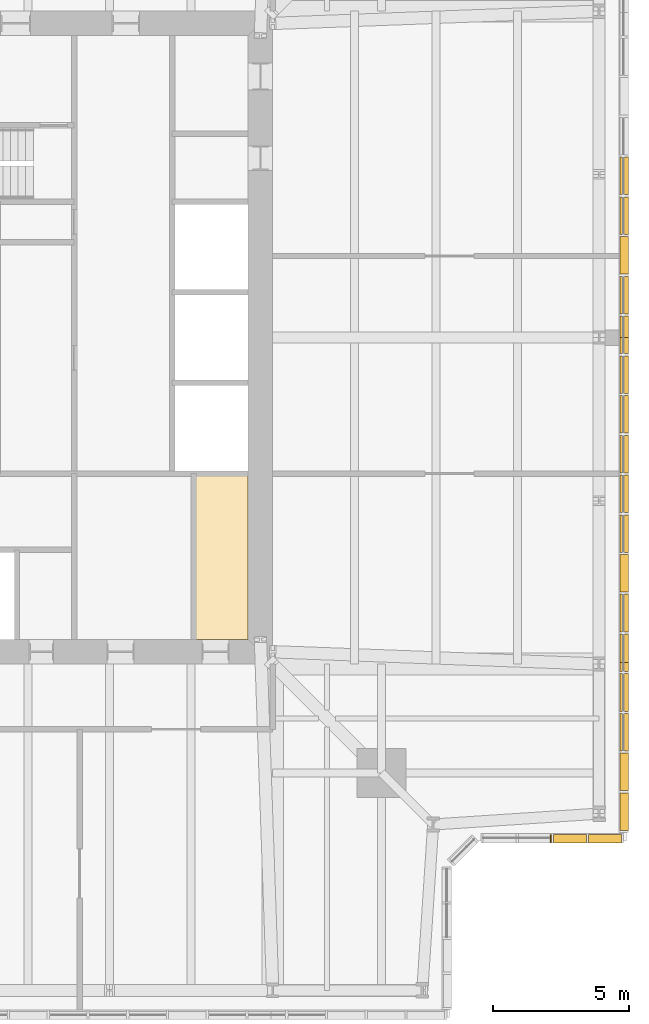
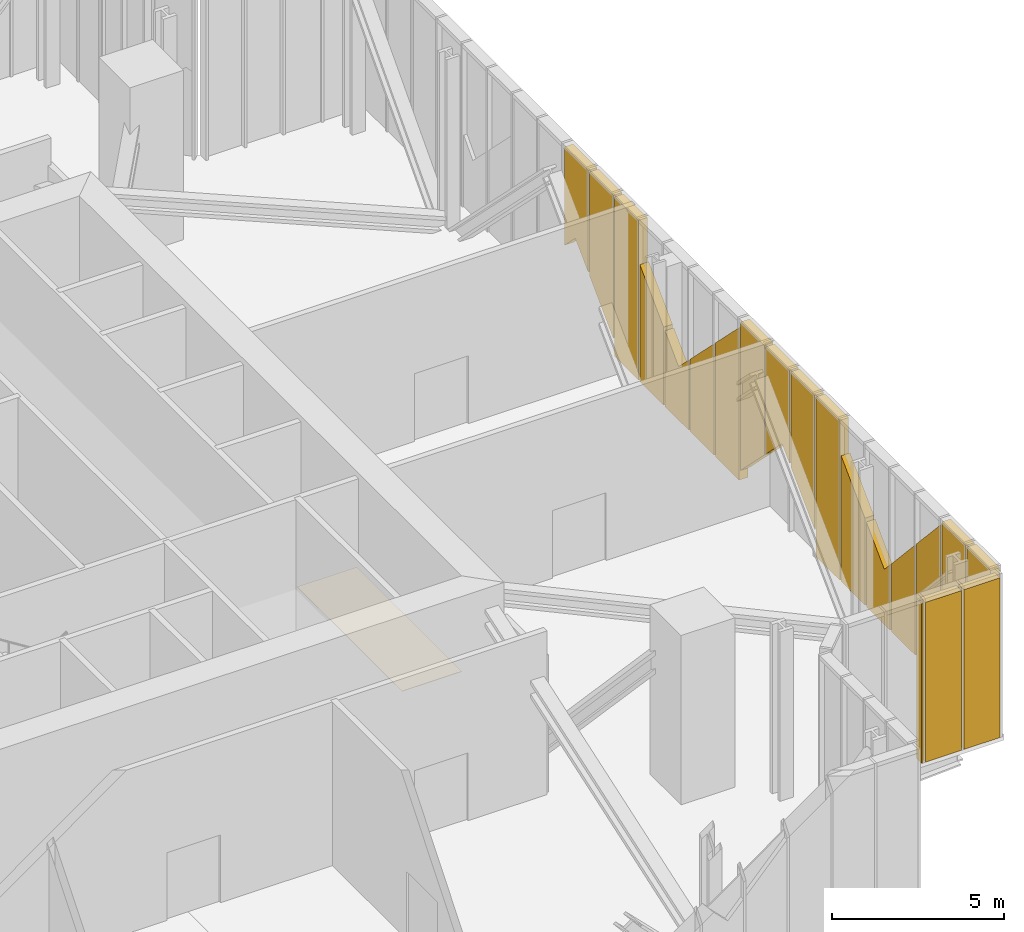
# One storey, part 16 of 18: 21 coverings.
"""IFC4 building model written with IfcOpenShell, lengths in metres."""

from ifc_helpers import new_model, si_unit, direction, frame, origin, place, context, subcontext, project, spatial, polyline, outline, extrude, material, layer, layer_set, type_object, element, save


model = new_model("IFC4")

# Units and contexts
model_context = context("Model", 3, precision=1e-05, world=origin(), true_north=direction((0.0, 1.0)))
body_context = subcontext(model_context, "Body", "Model", "MODEL_VIEW")
ifc_project = project(units=[si_unit("LENGTHUNIT", "METRE"), si_unit("AREAUNIT", "SQUARE_METRE"), si_unit("VOLUMEUNIT", "CUBIC_METRE"), si_unit("PLANEANGLEUNIT", "RADIAN"), si_unit("MASSUNIT", "GRAM", prefix="KILO")], contexts=[model_context])

# Site, building, storey
site_placement = place(None, origin())
site = spatial("IfcSite", under=ifc_project, at=site_placement, CompositionType="ELEMENT")
building_placement = place(site_placement, origin())
building = spatial("IfcBuilding", under=site, at=building_placement, Name="Fenwick Lantern Interchange", CompositionType="ELEMENT")
storey_placement = place(building_placement, frame((0.0, 0.0, 301.800048828125)))
storey = spatial("IfcBuildingStorey", under=building, at=storey_placement, Name="L73", CompositionType="ELEMENT", Elevation=301.800048828125)

# Coverings
ifc_material_1 = material(Name="Granite cladding, warm grey flamed finish, on aluminium carrier frame", Category="masonry")
ifc_layer_1 = layer(ifc_material_1, 0.300048828125)
ifc_layer_set_1 = layer_set([ifc_layer_1], Name="BRACE CASING PANEL 300")
covering_type_1 = type_object("IfcCoveringType", Name="BRACE CASING PANEL 300", PredefinedType="CLADDING", material=ifc_layer_set_1)
covering_1_placement = place(storey_placement, frame((44.45849609375, 6.60009765625, 0.0), z_axis=(0.0, 0.0, 1.0), x_axis=(1.0, 0.0, 0.0)))
element("IfcCovering", 1, at=covering_1_placement, inside=storey, type_object=covering_type_1, Name="Brace casing 04 bay 01a", PredefinedType="CLADDING", context=body_context, shape_type="SweptSolid", body=[
    extrude(outline(polyline([(2.741455078125, 0.0), (2.78076171875, 0.0), (2.78076171875, 5.659912109375), (2.741455078125, 5.659912109375), (2.741455078125, 0.0)])), frame((0.0, 0.125, 0.0), z_axis=(0.0, -1.0, 0.0), x_axis=(1.0, 0.0, 0.0)), (0.0, 0.0, 1.0), 0.300048828125),
])
covering_2_placement = place(storey_placement, frame((44.45849609375, 6.60009765625, 0.0), z_axis=(0.0, 0.0, 1.0), x_axis=(1.0, 0.0, 0.0)))
element("IfcCovering", 2, at=covering_2_placement, inside=storey, type_object=covering_type_1, Name="Brace casing 04 bay 02a", PredefinedType="CLADDING", context=body_context, shape_type="SweptSolid", body=[
    extrude(outline(polyline([(2.860595703125, 0.0), (4.071044921875, 0.0), (4.071044921875, 5.659912109375), (2.860595703125, 5.659912109375), (2.860595703125, 0.0)])), frame((0.0, 0.125, 0.0), z_axis=(0.0, -1.0, 0.0), x_axis=(1.0, 0.0, 0.0)), (0.0, 0.0, 1.0), 0.300048828125),
])
covering_3_placement = place(storey_placement, frame((44.45849609375, 6.60009765625, 0.0), z_axis=(0.0, 0.0, 1.0), x_axis=(1.0, 0.0, 0.0)))
element("IfcCovering", 3, at=covering_3_placement, inside=storey, type_object=covering_type_1, Name="Brace casing 04 bay 03a", PredefinedType="CLADDING", context=body_context, shape_type="SweptSolid", body=[
    extrude(outline(polyline([(4.151123046875, 0.0), (5.361328125, 0.0), (5.361328125, 5.659912109375), (4.151123046875, 5.659912109375), (4.151123046875, 0.0)])), frame((0.0, 0.125, 0.0), z_axis=(0.0, -1.0, 0.0), x_axis=(1.0, 0.0, 0.0)), (0.0, 0.0, 1.0), 0.300048828125),
])
covering_4_placement = place(storey_placement, frame((49.89990234375, 6.60009765625, 0.0), z_axis=(0.0, 0.0, 1.0), x_axis=(0.0, 1.0, 0.0)))
element("IfcCovering", 4, at=covering_4_placement, inside=storey, type_object=covering_type_1, Name="Brace casing 05 bay 00a", PredefinedType="CLADDING", context=body_context, shape_type="SweptSolid", body=[
    extrude(outline(polyline([(0.280029296875, 0.0), (1.660888671875, 0.0), (1.660888671875, 5.659912109375), (0.280029296875, 5.659912109375), (0.280029296875, 0.0)])), frame((0.0, 0.125, 0.0), z_axis=(0.0, -1.0, 0.0), x_axis=(1.0, 0.0, 0.0)), (0.0, 0.0, 1.0), 0.300048828125),
])
covering_5_placement = place(storey_placement, frame((49.89990234375, 6.60009765625, 0.0), z_axis=(0.0, 0.0, 1.0), x_axis=(0.0, 1.0, 0.0)))
element("IfcCovering", 5, at=covering_5_placement, inside=storey, type_object=covering_type_1, Name="Brace casing 05 bay 01a", PredefinedType="CLADDING", context=body_context, shape_type="SweptSolid", body=[
    extrude(outline(polyline([(1.74072265625, 0.0), (3.12158203125, 0.0), (3.12158203125, 5.659912109375), (1.74072265625, 5.659912109375), (1.74072265625, 0.0)])), frame((0.0, 0.125, 0.0), z_axis=(0.0, -1.0, 0.0), x_axis=(1.0, 0.0, 0.0)), (0.0, 0.0, 1.0), 0.300048828125),
])
covering_6_placement = place(storey_placement, frame((49.89990234375, 6.60009765625, 0.0), z_axis=(0.0, 0.0, 1.0), x_axis=(0.0, 1.0, 0.0)))
element("IfcCovering", 6, at=covering_6_placement, inside=storey, type_object=covering_type_1, Name="Brace casing 05 bay 02a", PredefinedType="CLADDING", context=body_context, shape_type="SweptSolid", body=[
    extrude(outline(polyline([(3.20166015625, 0.0), (4.58251953125, 0.0), (4.58251953125, 3.99658203125), (3.20166015625, 5.5029296875), (3.20166015625, 0.0)])), frame((0.0, 0.125, 0.0), z_axis=(0.0, -1.0, 0.0), x_axis=(1.0, 0.0, 0.0)), (0.0, 0.0, 1.0), 0.300048828125),
])
covering_7_placement = place(storey_placement, frame((49.89990234375, 6.60009765625, 0.0), z_axis=(0.0, 0.0, 1.0), x_axis=(0.0, 1.0, 0.0)))
element("IfcCovering", 7, at=covering_7_placement, inside=storey, type_object=covering_type_1, Name="Brace casing 05 bay 03a", PredefinedType="CLADDING", context=body_context, shape_type="SweptSolid", body=[
    extrude(outline(polyline([(4.662353515625, 0.0), (6.043212890625, 0.0), (6.043212890625, 2.403076171875), (4.662353515625, 3.909423828125), (4.662353515625, 0.0)])), frame((0.0, 0.125, 0.0), z_axis=(0.0, -1.0, 0.0), x_axis=(1.0, 0.0, 0.0)), (0.0, 0.0, 1.0), 0.300048828125),
])
covering_8_placement = place(storey_placement, frame((49.89990234375, 6.60009765625, 0.0), z_axis=(0.0, 0.0, 1.0), x_axis=(0.0, 1.0, 0.0)))
element("IfcCovering", 8, at=covering_8_placement, inside=storey, type_object=covering_type_1, Name="Brace casing 05 bay 04a", PredefinedType="CLADDING", context=body_context, shape_type="SweptSolid", body=[
    extrude(outline(polyline([(6.123291015625, 0.0), (7.50390625, 0.0), (7.50390625, 2.99951171875), (6.45654296875, 1.9521484375), (6.123291015625, 2.315673828125), (6.123291015625, 0.0)])), frame((0.0, 0.125, 0.0), z_axis=(0.0, -1.0, 0.0), x_axis=(1.0, 0.0, 0.0)), (0.0, 0.0, 1.0), 0.300048828125),
])
covering_9_placement = place(storey_placement, frame((49.89990234375, 6.60009765625, 0.0), z_axis=(0.0, 0.0, 1.0), x_axis=(0.0, 1.0, 0.0)))
element("IfcCovering", 9, at=covering_9_placement, inside=storey, type_object=covering_type_1, Name="Brace casing 05 bay 05a", PredefinedType="CLADDING", context=body_context, shape_type="SweptSolid", body=[
    extrude(outline(polyline([(7.583984375, 0.0), (8.96484375, 0.0), (8.96484375, 4.460205078125), (7.583984375, 3.07958984375), (7.583984375, 0.0)])), frame((0.0, 0.125, 0.0), z_axis=(0.0, -1.0, 0.0), x_axis=(1.0, 0.0, 0.0)), (0.0, 0.0, 1.0), 0.300048828125),
])
covering_10_placement = place(storey_placement, frame((49.89990234375, 6.60009765625, 0.0), z_axis=(0.0, 0.0, 1.0), x_axis=(0.0, 1.0, 0.0)))
element("IfcCovering", 10, at=covering_10_placement, inside=storey, type_object=covering_type_1, Name="Brace casing 05 bay 06a", PredefinedType="CLADDING", context=body_context, shape_type="SweptSolid", body=[
    extrude(outline(polyline([(9.044921875, 0.0), (10.425537109375, 0.0), (10.425537109375, 5.659912109375), (9.044921875, 5.659912109375), (9.044921875, 0.0)])), frame((0.0, 0.125, 0.0), z_axis=(0.0, -1.0, 0.0), x_axis=(1.0, 0.0, 0.0)), (0.0, 0.0, 1.0), 0.300048828125),
])
covering_11_placement = place(storey_placement, frame((49.89990234375, 6.60009765625, 0.909912109375), z_axis=(0.0, 0.0, 1.0), x_axis=(0.0, 1.0, 0.0)))
element("IfcCovering", 11, at=covering_11_placement, inside=storey, type_object=covering_type_1, Name="Brace casing 05 bay 07a", PredefinedType="CLADDING", context=body_context, shape_type="SweptSolid", body=[
    extrude(outline(polyline([(10.505615234375, 0.0), (11.886474609375, 1.380859375), (11.886474609375, 4.75), (10.505615234375, 4.75), (10.505615234375, 0.0)])), frame((0.0, 0.125, 0.0), z_axis=(0.0, -1.0, 0.0), x_axis=(1.0, 0.0, 0.0)), (0.0, 0.0, 1.0), 0.300048828125),
])
covering_12_placement = place(storey_placement, frame((49.89990234375, 6.60009765625, 1.857177734375), z_axis=(0.0, 0.0, 1.0), x_axis=(0.0, 1.0, 0.0)))
element("IfcCovering", 12, at=covering_12_placement, inside=storey, type_object=covering_type_1, Name="Brace casing 05 bay 08a", PredefinedType="CLADDING", context=body_context, shape_type="SweptSolid", body=[
    extrude(outline(polyline([(13.34716796875, 0.0), (13.34716796875, 3.802734375), (11.96630859375, 3.802734375), (11.96630859375, 0.513671875), (12.39990234375, 0.947265625), (13.34716796875, 0.0)])), frame((0.0, 0.125, 0.0), z_axis=(0.0, -1.0, 0.0), x_axis=(1.0, 0.0, 0.0)), (0.0, 0.0, 1.0), 0.300048828125),
])
covering_13_placement = place(storey_placement, frame((49.89990234375, 6.60009765625, 0.396484375), z_axis=(0.0, 0.0, 1.0), x_axis=(0.0, 1.0, 0.0)))
element("IfcCovering", 13, at=covering_13_placement, inside=storey, type_object=covering_type_1, Name="Brace casing 05 bay 09a", PredefinedType="CLADDING", context=body_context, shape_type="SweptSolid", body=[
    extrude(outline(polyline([(14.80810546875, 0.0), (14.80810546875, 5.263427734375), (13.42724609375, 5.263427734375), (13.42724609375, 1.380615234375), (14.80810546875, 0.0)])), frame((0.0, 0.125, 0.0), z_axis=(0.0, -1.0, 0.0), x_axis=(1.0, 0.0, 0.0)), (0.0, 0.0, 1.0), 0.300048828125),
])
covering_14_placement = place(storey_placement, frame((49.89990234375, 6.60009765625, 0.0), z_axis=(0.0, 0.0, 1.0), x_axis=(0.0, 1.0, 0.0)))
element("IfcCovering", 14, at=covering_14_placement, inside=storey, type_object=covering_type_1, Name="Brace casing 05 bay 10a", PredefinedType="CLADDING", context=body_context, shape_type="SweptSolid", body=[
    extrude(outline(polyline([(14.887939453125, 0.0), (16.268798828125, 0.0), (16.268798828125, 4.026611328125), (14.887939453125, 5.407470703125), (14.887939453125, 0.0)])), frame((0.0, 0.125, 0.0), z_axis=(0.0, -1.0, 0.0), x_axis=(1.0, 0.0, 0.0)), (0.0, 0.0, 1.0), 0.300048828125),
])
covering_15_placement = place(storey_placement, frame((49.89990234375, 6.60009765625, 0.0), z_axis=(0.0, 0.0, 1.0), x_axis=(0.0, 1.0, 0.0)))
element("IfcCovering", 15, at=covering_15_placement, inside=storey, type_object=covering_type_1, Name="Brace casing 05 bay 11a", PredefinedType="CLADDING", context=body_context, shape_type="SweptSolid", body=[
    extrude(outline(polyline([(16.348876953125, 0.0), (17.7294921875, 0.0), (17.7294921875, 2.56591796875), (16.348876953125, 3.94677734375), (16.348876953125, 0.0)])), frame((0.0, 0.125, 0.0), z_axis=(0.0, -1.0, 0.0), x_axis=(1.0, 0.0, 0.0)), (0.0, 0.0, 1.0), 0.300048828125),
])
covering_16_placement = place(storey_placement, frame((49.89990234375, 6.60009765625, 0.0), z_axis=(0.0, 0.0, 1.0), x_axis=(0.0, 1.0, 0.0)))
element("IfcCovering", 16, at=covering_16_placement, inside=storey, type_object=covering_type_1, Name="Brace casing 05 bay 12a", PredefinedType="CLADDING", context=body_context, shape_type="SweptSolid", body=[
    extrude(outline(polyline([(17.8095703125, 0.0), (19.1904296875, 0.0), (19.1904296875, 2.68603515625), (18.39990234375, 1.8955078125), (17.8095703125, 2.48583984375), (17.8095703125, 0.0)])), frame((0.0, 0.125, 0.0), z_axis=(0.0, -1.0, 0.0), x_axis=(1.0, 0.0, 0.0)), (0.0, 0.0, 1.0), 0.300048828125),
])
covering_17_placement = place(storey_placement, frame((49.89990234375, 6.60009765625, 0.0), z_axis=(0.0, 0.0, 1.0), x_axis=(0.0, 1.0, 0.0)))
element("IfcCovering", 17, at=covering_17_placement, inside=storey, type_object=covering_type_1, Name="Brace casing 05 bay 13a", PredefinedType="CLADDING", context=body_context, shape_type="SweptSolid", body=[
    extrude(outline(polyline([(19.2705078125, 0.0), (20.651123046875, 0.0), (20.651123046875, 4.146728515625), (19.2705078125, 2.765869140625), (19.2705078125, 0.0)])), frame((0.0, 0.125, 0.0), z_axis=(0.0, -1.0, 0.0), x_axis=(1.0, 0.0, 0.0)), (0.0, 0.0, 1.0), 0.300048828125),
])
covering_18_placement = place(storey_placement, frame((49.89990234375, 6.60009765625, 0.0), z_axis=(0.0, 0.0, 1.0), x_axis=(0.0, 1.0, 0.0)))
element("IfcCovering", 18, at=covering_18_placement, inside=storey, type_object=covering_type_1, Name="Brace casing 05 bay 14a", PredefinedType="CLADDING", context=body_context, shape_type="SweptSolid", body=[
    extrude(outline(polyline([(20.731201171875, 0.0), (22.112060546875, 0.0), (22.112060546875, 5.659912109375), (20.731201171875, 5.659912109375), (20.731201171875, 0.0)])), frame((0.0, 0.125, 0.0), z_axis=(0.0, -1.0, 0.0), x_axis=(1.0, 0.0, 0.0)), (0.0, 0.0, 1.0), 0.300048828125),
])
covering_19_placement = place(storey_placement, frame((49.89990234375, 6.60009765625, 0.596435546875), z_axis=(0.0, 0.0, 1.0), x_axis=(0.0, 1.0, 0.0)))
element("IfcCovering", 19, at=covering_19_placement, inside=storey, type_object=covering_type_1, Name="Brace casing 05 bay 15a", PredefinedType="CLADDING", context=body_context, shape_type="SweptSolid", body=[
    extrude(outline(polyline([(22.19189453125, 0.0), (23.57275390625, 1.380859375), (23.57275390625, 5.0634765625), (22.19189453125, 5.0634765625), (22.19189453125, 0.0)])), frame((0.0, 0.125, 0.0), z_axis=(0.0, -1.0, 0.0), x_axis=(1.0, 0.0, 0.0)), (0.0, 0.0, 1.0), 0.300048828125),
])
covering_20_placement = place(storey_placement, frame((49.89990234375, 6.60009765625, 2.05712890625), z_axis=(0.0, 0.0, 1.0), x_axis=(0.0, 1.0, 0.0)))
element("IfcCovering", 20, at=covering_20_placement, inside=storey, type_object=covering_type_1, Name="Brace casing 05 bay 16a", PredefinedType="CLADDING", context=body_context, shape_type="SweptSolid", body=[
    extrude(outline(polyline([(23.65283203125, 0.0), (24.39990234375, 0.747314453125), (25.03369140625, 0.11376953125), (25.03369140625, 3.602783203125), (23.65283203125, 3.602783203125), (23.65283203125, 0.0)])), frame((0.0, 0.125, 0.0), z_axis=(0.0, -1.0, 0.0), x_axis=(1.0, 0.0, 0.0)), (0.0, 0.0, 1.0), 0.300048828125),
])
ifc_material_2 = material(Name="Moisture resistant gypsum board on suspended frame, painted")
ifc_layer_2 = layer(ifc_material_2, 0.014892578125)
ifc_layer_set_2 = layer_set([ifc_layer_2], Name="MOISTURE RESISTANT CEILING 15")
covering_type_2 = type_object("IfcCoveringType", Name="MOISTURE RESISTANT CEILING 15", PredefinedType="CEILING", material=ifc_layer_set_2)
covering_21_placement = place(storey_placement, frame((0.0, 0.0, 2.599853515625)))
element("IfcCovering", 21, at=covering_21_placement, inside=storey, type_object=covering_type_2, Name="Men's WC ceiling", PredefinedType="CEILING", context=body_context, shape_type="SweptSolid", body=[
    extrude(outline(polyline([(34.10009765625, 13.89990234375), (36.10009765625, 13.89990234375), (36.10009765625, 20.0), (34.10009765625, 20.0), (34.10009765625, 13.89990234375)])), origin(), (0.0, 0.0, 1.0), 0.01513671875),
])

save(model, "model.ifc")
